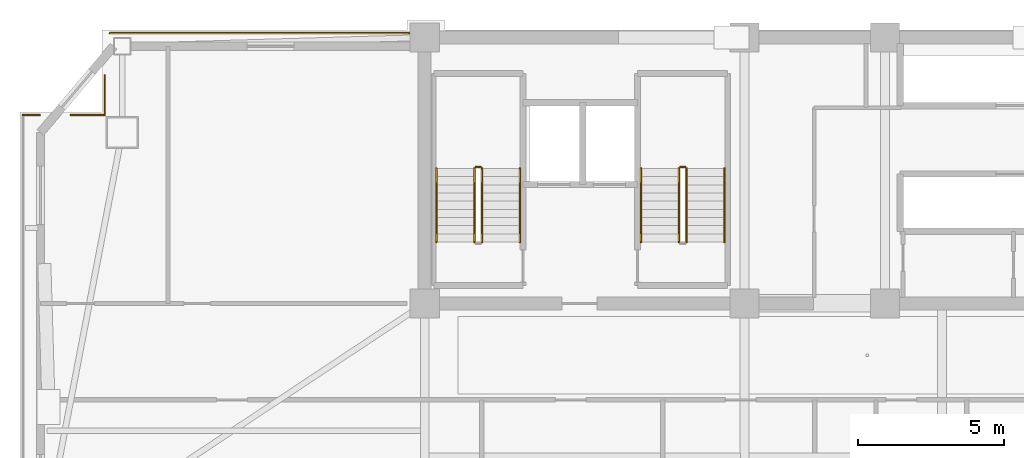
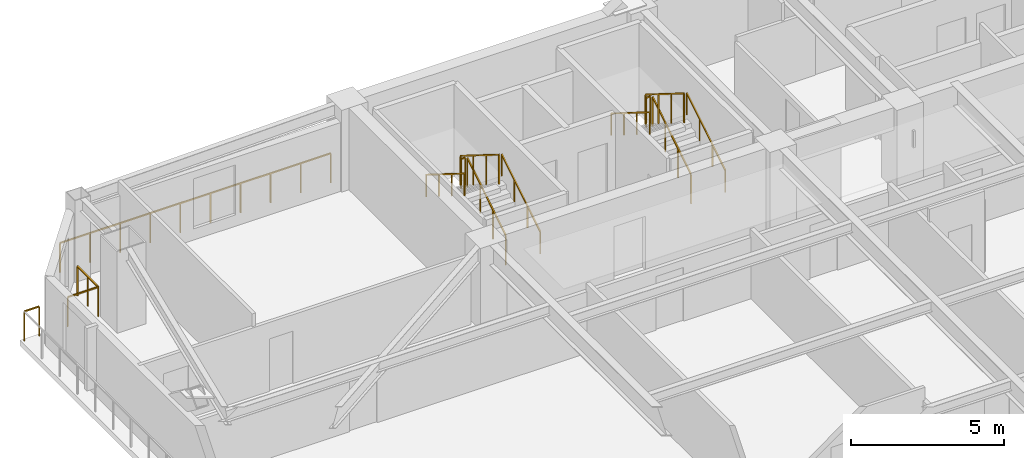
# One storey, part 16 of 17: 14 railings.
"""IFC4 building model written with IfcOpenShell, lengths in metres."""

import ifcopenshell
import ifcopenshell.guid

model = None  # the IFC model being written
_history = None  # IfcOwnerHistory: only IFC2X3 demands one
_inside = {}  # id of a spatial element -> (the spatial element, [elements in it])
_under = {}  # id of a project, library or spatial element -> (it, [spatial elements below it])
_declared = {}  # id of a project -> (the project, [libraries it declares])
_typed = {}  # id of a type object -> (the type object, [elements of that type])
_made_of = {}  # id of a material, layer set ... -> (it, [elements and type objects made of it])


def new_model(schema):
    """Start an empty IFC model of exactly this schema.

    Asked for "IFC4X3", IfcOpenShell would pick the latest addendum, in which some entities
    have other attributes; the version numbers below select the first issue.
    IFC2X3 requires an IfcOwnerHistory on every rooted entity: one is made here for all.
    """
    global model, _history
    if schema == "IFC4X3":
        model = ifcopenshell.file(schema_version=(4, 3, 0, 0))
    else:
        model = ifcopenshell.file(schema=schema)
    _inside.clear()
    _under.clear()
    _declared.clear()
    _typed.clear()
    _made_of.clear()
    _history = None
    if model.schema == "IFC2X3":
        org = make("IfcOrganization", Name="unknown")
        user = make(
            "IfcPersonAndOrganization",
            ThePerson=make("IfcPerson", FamilyName="unknown"),
            TheOrganization=org,
        )
        app = make(
            "IfcApplication",
            ApplicationDeveloper=org,
            Version="unknown",
            ApplicationFullName="unknown",
            ApplicationIdentifier="unknown",
        )
        _history = make(
            "IfcOwnerHistory",
            OwningUser=user,
            OwningApplication=app,
            ChangeAction="ADDED",
            CreationDate=0,
        )
    return model


def make(cls, **values):
    """One entity of the class cls with the attributes given. An attribute that is None is left unset."""
    return model.create_entity(
        cls, **{name: value for name, value in values.items() if value is not None}
    )


def rooted(cls, **values):
    """An entity with a GlobalId (a new one), such as an element, a storey or a relation."""
    return make(cls, GlobalId=ifcopenshell.guid.new(), OwnerHistory=_history, **values)


def si_unit(unit_type, name, prefix=None):
    """IfcSIUnit, for example si_unit("LENGTHUNIT", "METRE", prefix="MILLI")."""
    return make("IfcSIUnit", UnitType=unit_type, Prefix=prefix, Name=name)


def assignment(units):
    """IfcUnitAssignment: the units of a project."""
    return None if units is None else make("IfcUnitAssignment", Units=units)


def point(xyz):
    """IfcCartesianPoint."""
    return None if xyz is None else make("IfcCartesianPoint", Coordinates=xyz)


def direction(xyz):
    """IfcDirection."""
    return None if xyz is None else make("IfcDirection", DirectionRatios=xyz)


def frame(location, z_axis=None, x_axis=None):
    """IfcAxis2Placement3D, a coordinate frame: its origin and axes. An axis left out is left unset."""
    return make(
        "IfcAxis2Placement3D",
        Location=point(location),
        Axis=direction(z_axis),
        RefDirection=direction(x_axis),
    )


def frame_2d(location, x_axis=None):
    """IfcAxis2Placement2D, a coordinate frame in the plane: its origin and x axis."""
    return make(
        "IfcAxis2Placement2D", Location=point(location), RefDirection=direction(x_axis)
    )


def origin():
    """The frame at (0, 0, 0) with its axes left unset."""
    return frame((0.0, 0.0, 0.0))


def origin_2d():
    """The frame at (0, 0) in the plane with its x axis left unset."""
    return frame_2d((0.0, 0.0))


def place(relative_to, where):
    """IfcLocalPlacement: puts the frame where relative to a parent placement (None: the world)."""
    return make(
        "IfcLocalPlacement", PlacementRelTo=relative_to, RelativePlacement=where
    )


def context(
    kind, dimensions, precision=None, world=None, true_north=None, identifier=None
):
    """IfcGeometricRepresentationContext, for example the 3D "Model" context."""
    return make(
        "IfcGeometricRepresentationContext",
        ContextIdentifier=identifier,
        ContextType=kind,
        CoordinateSpaceDimension=dimensions,
        Precision=precision,
        WorldCoordinateSystem=world,
        TrueNorth=true_north,
    )


def subcontext(parent, identifier, kind, view, scale=None):
    """IfcGeometricRepresentationSubContext, for example "Body" below "Model"."""
    return make(
        "IfcGeometricRepresentationSubContext",
        ContextIdentifier=identifier,
        ContextType=kind,
        ParentContext=parent,
        TargetScale=scale,
        TargetView=view,
    )


def project(units=None, contexts=None):
    """IfcProject with its units and contexts."""
    return rooted(
        "IfcProject",
        Name="project",
        RepresentationContexts=contexts,
        UnitsInContext=assignment(units),
    )


def spatial(cls, under=None, at=None, **own):
    """A site, building, storey or space (cls), placed at a placement, below another one or the project."""
    s = rooted(cls, ObjectPlacement=at, **own)
    if under is not None:
        _under.setdefault(under.id(), (under, []))[1].append(s)
    return s


def profile(cls, at=None, kind="AREA", **sizes):
    """A parametric profile (cls). Its sizes go by their IFC names, for example OverallWidth=200.0."""
    return make(cls, ProfileType=kind, Position=at, **sizes)


def rectangle(**sizes):
    """IfcRectangleProfileDef."""
    return profile("IfcRectangleProfileDef", **sizes)


def extrude(swept, where, along, depth):
    """IfcExtrudedAreaSolid: the profile swept, set in the frame where, extruded along a direction by depth."""
    return make(
        "IfcExtrudedAreaSolid",
        SweptArea=swept,
        Position=where,
        ExtrudedDirection=direction(along),
        Depth=depth,
    )


def shape(context_of_items, identifier, shape_type, items):
    """IfcShapeRepresentation: the items that make up one representation, for example the "Body"."""
    return make(
        "IfcShapeRepresentation",
        ContextOfItems=context_of_items,
        RepresentationIdentifier=identifier,
        RepresentationType=shape_type,
        Items=items,
    )


def material(Name=None, Category=None):
    """IfcMaterial."""
    return make("IfcMaterial", Name=Name, Category=Category)


def made_of(thing, what):
    """Note that an element or type object is made of a material, layer set ...; save() writes the relation."""
    if what is not None:
        _made_of.setdefault(what.id(), (what, []))[1].append(thing)
    return thing


def type_object(cls, material=None, **own):
    """A type object (cls), such as IfcWallType, which elements share."""
    return made_of(rooted(cls, **own), material)


def element(
    cls,
    number,
    at=None,
    inside=None,
    cuts=None,
    type_object=None,
    material=None,
    context=None,
    identifier="Body",
    shape_type=None,
    held_by="IfcProductDefinitionShape",
    body=None,
    shapes=None,
    **own,
):
    """One element of the class cls, such as IfcWall. Its Tag is "e" and its number.

    at: its placement. inside: the storey or other place that contains it. cuts: it is an
    opening in that element (IfcRelVoidsElement). A single representation is given by context,
    identifier, shape_type and body (its items); several are given by shapes. held_by: the class
    of the entity that holds the representations. save() writes the other relations.
    """
    e = rooted(cls, Tag="e%d" % number, ObjectPlacement=at, **own)
    if body is not None:
        shapes = [shape(context, identifier, shape_type, body)]
    if shapes is not None:
        e.Representation = make(held_by, Representations=shapes)
    if inside is not None:
        _inside.setdefault(inside.id(), (inside, []))[1].append(e)
    if cuts is not None:
        rooted(
            "IfcRelVoidsElement", RelatingBuildingElement=cuts, RelatedOpeningElement=e
        )
    if type_object is not None:
        _typed.setdefault(type_object.id(), (type_object, []))[1].append(e)
    return made_of(e, material)


def aggregate(whole, parts):
    """IfcRelAggregates: a whole, such as a stair, and the parts it consists of."""
    return rooted("IfcRelAggregates", RelatingObject=whole, RelatedObjects=parts)


def save(model, path):
    """Write the relations noted so far, then the file.

    IfcRelAggregates (storeys below a building ...), IfcRelContainedInSpatialStructure (elements
    in a storey), IfcRelDefinesByType, IfcRelAssociatesMaterial and IfcRelDeclares: one each for
    every whole, place, type object, material and project.
    """
    for whole, parts in _under.values():
        aggregate(whole, parts)
    for where, things in _inside.values():
        rooted(
            "IfcRelContainedInSpatialStructure",
            RelatedElements=things,
            RelatingStructure=where,
        )
    for kind, things in _typed.values():
        rooted("IfcRelDefinesByType", RelatedObjects=things, RelatingType=kind)
    for what, things in _made_of.values():
        rooted("IfcRelAssociatesMaterial", RelatedObjects=things, RelatingMaterial=what)
    for by, libraries in _declared.values():
        rooted("IfcRelDeclares", RelatingContext=by, RelatedDefinitions=libraries)
    model.write(path)


model = new_model("IFC4")

# Units and contexts
model_context = context("Model", 3, precision=1e-05, world=origin(), true_north=direction((0.0, 1.0)))
body_context = subcontext(model_context, "Body", "Model", "MODEL_VIEW")
ifc_project = project(units=[si_unit("LENGTHUNIT", "METRE"), si_unit("AREAUNIT", "SQUARE_METRE"), si_unit("VOLUMEUNIT", "CUBIC_METRE"), si_unit("PLANEANGLEUNIT", "RADIAN"), si_unit("MASSUNIT", "GRAM", prefix="KILO")], contexts=[model_context])

# Site, building, storey
site_placement = place(None, origin())
site = spatial("IfcSite", under=ifc_project, at=site_placement, CompositionType="ELEMENT")
building_placement = place(site_placement, origin())
building = spatial("IfcBuilding", under=site, at=building_placement, Name="Giltprow Tower", CompositionType="ELEMENT")
storey_placement = place(building_placement, frame((0.0, 0.0, 206.199951171875)))
storey = spatial("IfcBuildingStorey", under=building, at=storey_placement, Name="L52", CompositionType="ELEMENT", Elevation=206.199951171875)

# Railings
ifc_material = material(Name="Anodized bronze", Category="metal")
railing_type_1 = type_object("IfcRailingType", Name="RAIL-BALC-GUARD-1200", PredefinedType="BALUSTRADE", material=ifc_material)
railing_1_placement = place(storey_placement, frame((6.10302734375, 43.89990234375, 0.0)))
element("IfcRailing", 1, at=railing_1_placement, inside=storey, type_object=railing_type_1, Name="L52 Corner Apron Edge Balustrade 14", PredefinedType="BALUSTRADE", context=body_context, shape_type="SweptSolid", body=[
    extrude(rectangle(XDim=0.048095703125, YDim=0.048095703125, at=origin_2d()), frame((0.0, 0.0, 1.17578125), z_axis=(1.0, 0.0, 0.0), x_axis=(0.0, 1.0, 0.0)), (0.0, 0.0, 1.0), 0.571044921875),
    extrude(rectangle(XDim=0.0419921875, YDim=0.0419921875, at=origin_2d()), origin(), (0.0, 0.0, 1.0), 1.15185546875),
    extrude(rectangle(XDim=0.0419921875, YDim=0.0419921875, at=origin_2d()), frame((0.571044921875, 0.0, 0.0)), (0.0, 0.0, 1.0), 1.15185546875),
])
railing_2_placement = place(storey_placement, frame((7.7490234375, 43.89990234375, 0.0)))
element("IfcRailing", 2, at=railing_2_placement, inside=storey, type_object=railing_type_1, Name="L52 Corner Apron Edge Balustrade 15", PredefinedType="BALUSTRADE", context=body_context, shape_type="SweptSolid", body=[
    extrude(rectangle(XDim=0.048095703125, YDim=0.048095703125, at=origin_2d()), frame((0.0, 0.0, 1.17578125), z_axis=(1.0, 0.0, 0.0), x_axis=(0.0, 1.0, 0.0)), (0.0, 0.0, 1.0), 1.154052734375),
    extrude(rectangle(XDim=0.0419921875, YDim=0.0419921875, at=origin_2d()), origin(), (0.0, 0.0, 1.0), 1.15185546875),
    extrude(rectangle(XDim=0.0419921875, YDim=0.0419921875, at=origin_2d()), frame((1.154052734375, 0.0, 0.0)), (0.0, 0.0, 1.0), 1.15185546875),
])
railing_3_placement = place(storey_placement, frame((8.903076171875, 43.89990234375, 0.0)))
element("IfcRailing", 3, at=railing_3_placement, inside=storey, type_object=railing_type_1, Name="L52 Corner Apron Edge Balustrade 16", PredefinedType="BALUSTRADE", context=body_context, shape_type="SweptSolid", body=[
    extrude(rectangle(XDim=0.048095703125, YDim=0.048095703125, at=origin_2d()), frame((0.0, 0.0, 1.17578125), z_axis=(0.0, 1.0, 0.0), x_axis=(-1.0, 0.0, 0.0)), (0.0, 0.0, 1.0), 1.362060546875),
    extrude(rectangle(XDim=0.0419921875, YDim=0.0419921875, at=origin_2d()), origin(), (0.0, 0.0, 1.0), 1.15185546875),
    extrude(rectangle(XDim=0.0419921875, YDim=0.0419921875, at=origin_2d()), frame((0.0, 0.68115234375, 0.0)), (0.0, 0.0, 1.0), 1.15185546875),
    extrude(rectangle(XDim=0.0419921875, YDim=0.0419921875, at=origin_2d()), frame((0.0, 1.362060546875, 0.0)), (0.0, 0.0, 1.0), 1.15185546875),
])
railing_4_placement = place(storey_placement, frame((9.073974609375, 46.699951171875, 0.0)))
element("IfcRailing", 4, at=railing_4_placement, inside=storey, type_object=railing_type_1, Name="L52 Corner Apron Edge Balustrade 17", PredefinedType="BALUSTRADE", context=body_context, shape_type="SweptSolid", body=[
    extrude(rectangle(XDim=0.048095703125, YDim=0.048095703125, at=origin_2d()), frame((0.0, 0.0, 1.17578125), z_axis=(1.0, 0.0, 0.0), x_axis=(0.0, 1.0, 0.0)), (0.0, 0.0, 1.0), 10.240966796875),
    extrude(rectangle(XDim=0.0419921875, YDim=0.0419921875, at=origin_2d()), origin(), (0.0, 0.0, 1.0), 1.15185546875),
    extrude(rectangle(XDim=0.0419921875, YDim=0.0419921875, at=origin_2d()), frame((1.137939453125, 0.0, 0.0)), (0.0, 0.0, 1.0), 1.15185546875),
    extrude(rectangle(XDim=0.0419921875, YDim=0.0419921875, at=origin_2d()), frame((2.27587890625, 0.0, 0.0)), (0.0, 0.0, 1.0), 1.15185546875),
    extrude(rectangle(XDim=0.0419921875, YDim=0.0419921875, at=origin_2d()), frame((3.41357421875, 0.0, 0.0)), (0.0, 0.0, 1.0), 1.15185546875),
    extrude(rectangle(XDim=0.0419921875, YDim=0.0419921875, at=origin_2d()), frame((4.551513671875, 0.0, 0.0)), (0.0, 0.0, 1.0), 1.15185546875),
    extrude(rectangle(XDim=0.0419921875, YDim=0.0419921875, at=origin_2d()), frame((5.689453125, 0.0, 0.0)), (0.0, 0.0, 1.0), 1.15185546875),
    extrude(rectangle(XDim=0.0419921875, YDim=0.0419921875, at=origin_2d()), frame((6.827392578125, 0.0, 0.0)), (0.0, 0.0, 1.0), 1.15185546875),
    extrude(rectangle(XDim=0.0419921875, YDim=0.0419921875, at=origin_2d()), frame((7.965087890625, 0.0, 0.0)), (0.0, 0.0, 1.0), 1.15185546875),
    extrude(rectangle(XDim=0.0419921875, YDim=0.0419921875, at=origin_2d()), frame((9.10302734375, 0.0, 0.0)), (0.0, 0.0, 1.0), 1.15185546875),
    extrude(rectangle(XDim=0.0419921875, YDim=0.0419921875, at=origin_2d()), frame((10.240966796875, 0.0, 0.0)), (0.0, 0.0, 1.0), 1.15185546875),
])
railing_type_2 = type_object("IfcRailingType", Name="RAIL-STAIR-GUARD-1200", PredefinedType="GUARDRAIL", material=ifc_material)
railing_5_placement = place(storey_placement, frame((21.81005859375, 39.550048828125, 0.175048828125)))
element("IfcRailing", 5, at=railing_5_placement, inside=storey, type_object=railing_type_2, Name="L52 ST-1 stair guard 1", PredefinedType="GUARDRAIL", context=body_context, shape_type="SweptSolid", body=[
    extrude(rectangle(XDim=0.048095703125, YDim=0.048095703125, at=origin_2d()), frame((0.0, 0.0, 1.17578125), z_axis=(0.0, 0.848007534815, 0.529984170421), x_axis=(-1.0, 0.0, 0.0)), (0.0, 0.0, 1.0), 2.9716796875),
    extrude(rectangle(XDim=0.0419921875, YDim=0.0419921875, at=origin_2d()), origin(), (0.0, 0.0, 1.0), 1.15185546875),
    extrude(rectangle(XDim=0.0419921875, YDim=0.0419921875, at=origin_2d()), frame((0.0, 0.840087890625, 0.52490234375)), (0.0, 0.0, 1.0), 1.15185546875),
    extrude(rectangle(XDim=0.0419921875, YDim=0.0419921875, at=origin_2d()), frame((0.0, 1.679931640625, 1.050048828125)), (0.0, 0.0, 1.0), 1.15185546875),
    extrude(rectangle(XDim=0.0419921875, YDim=0.0419921875, at=origin_2d()), frame((0.0, 2.52001953125, 1.574951171875)), (0.0, 0.0, 1.0), 1.15185546875),
])
railing_6_placement = place(storey_placement, frame((21.760009765625, 42.1201171875, 1.75)))
element("IfcRailing", 6, at=railing_6_placement, inside=storey, type_object=railing_type_2, Name="L52 ST-1 stair guard 2", PredefinedType="GUARDRAIL", context=body_context, shape_type="SweptSolid", body=[
    extrude(rectangle(XDim=0.048095703125, YDim=0.048095703125, at=origin_2d()), frame((0.0, 0.0, 1.17578125), z_axis=(-1.0, 0.0, 0.0), x_axis=(0.0, -1.0, 0.0)), (0.0, 0.0, 1.0), 0.159912109375),
    extrude(rectangle(XDim=0.0419921875, YDim=0.0419921875, at=origin_2d()), origin(), (0.0, 0.0, 1.0), 1.15185546875),
    extrude(rectangle(XDim=0.0419921875, YDim=0.0419921875, at=origin_2d()), frame((-0.159912109375, 0.0, 0.0)), (0.0, 0.0, 1.0), 1.15185546875),
])
railing_7_placement = place(storey_placement, frame((21.550048828125, 42.070068359375, 1.925048828125)))
element("IfcRailing", 7, at=railing_7_placement, inside=storey, type_object=railing_type_2, Name="L52 ST-1 stair guard 3", PredefinedType="GUARDRAIL", context=body_context, shape_type="SweptSolid", body=[
    extrude(rectangle(XDim=0.048095703125, YDim=0.048095703125, at=origin_2d()), frame((0.0, 0.0, 1.17578125), z_axis=(0.0, -0.848007534815, 0.529984170421), x_axis=(1.0, 0.0, 0.0)), (0.0, 0.0, 1.0), 2.9716796875),
    extrude(rectangle(XDim=0.0419921875, YDim=0.0419921875, at=origin_2d()), origin(), (0.0, 0.0, 1.0), 1.15185546875),
    extrude(rectangle(XDim=0.0419921875, YDim=0.0419921875, at=origin_2d()), frame((0.0, -0.840087890625, 0.52490234375)), (0.0, 0.0, 1.0), 1.15185546875),
    extrude(rectangle(XDim=0.0419921875, YDim=0.0419921875, at=origin_2d()), frame((0.0, -1.679931640625, 1.050048828125)), (0.0, 0.0, 1.0), 1.15185546875),
    extrude(rectangle(XDim=0.0419921875, YDim=0.0419921875, at=origin_2d()), frame((0.0, -2.52001953125, 1.574951171875)), (0.0, 0.0, 1.0), 1.15185546875),
])
railing_8_placement = place(storey_placement, frame((28.81005859375, 39.550048828125, 0.175048828125)))
element("IfcRailing", 8, at=railing_8_placement, inside=storey, type_object=railing_type_2, Name="L52 ST-2 stair guard 1", PredefinedType="GUARDRAIL", context=body_context, shape_type="SweptSolid", body=[
    extrude(rectangle(XDim=0.048095703125, YDim=0.048095703125, at=origin_2d()), frame((0.0, 0.0, 1.17578125), z_axis=(0.0, 0.848007534815, 0.529984170421), x_axis=(-1.0, 0.0, 0.0)), (0.0, 0.0, 1.0), 2.9716796875),
    extrude(rectangle(XDim=0.0419921875, YDim=0.0419921875, at=origin_2d()), origin(), (0.0, 0.0, 1.0), 1.15185546875),
    extrude(rectangle(XDim=0.0419921875, YDim=0.0419921875, at=origin_2d()), frame((0.0, 0.840087890625, 0.52490234375)), (0.0, 0.0, 1.0), 1.15185546875),
    extrude(rectangle(XDim=0.0419921875, YDim=0.0419921875, at=origin_2d()), frame((0.0, 1.679931640625, 1.050048828125)), (0.0, 0.0, 1.0), 1.15185546875),
    extrude(rectangle(XDim=0.0419921875, YDim=0.0419921875, at=origin_2d()), frame((0.0, 2.52001953125, 1.574951171875)), (0.0, 0.0, 1.0), 1.15185546875),
])
railing_9_placement = place(storey_placement, frame((28.760009765625, 42.1201171875, 1.75)))
element("IfcRailing", 9, at=railing_9_placement, inside=storey, type_object=railing_type_2, Name="L52 ST-2 stair guard 2", PredefinedType="GUARDRAIL", context=body_context, shape_type="SweptSolid", body=[
    extrude(rectangle(XDim=0.048095703125, YDim=0.048095703125, at=origin_2d()), frame((0.0, 0.0, 1.17578125), z_axis=(-1.0, 0.0, 0.0), x_axis=(0.0, -1.0, 0.0)), (0.0, 0.0, 1.0), 0.159912109375),
    extrude(rectangle(XDim=0.0419921875, YDim=0.0419921875, at=origin_2d()), origin(), (0.0, 0.0, 1.0), 1.15185546875),
    extrude(rectangle(XDim=0.0419921875, YDim=0.0419921875, at=origin_2d()), frame((-0.159912109375, 0.0, 0.0)), (0.0, 0.0, 1.0), 1.15185546875),
])
railing_10_placement = place(storey_placement, frame((28.550048828125, 42.070068359375, 1.925048828125)))
element("IfcRailing", 10, at=railing_10_placement, inside=storey, type_object=railing_type_2, Name="L52 ST-2 stair guard 3", PredefinedType="GUARDRAIL", context=body_context, shape_type="SweptSolid", body=[
    extrude(rectangle(XDim=0.048095703125, YDim=0.048095703125, at=origin_2d()), frame((0.0, 0.0, 1.17578125), z_axis=(0.0, -0.848007534815, 0.529984170421), x_axis=(1.0, 0.0, 0.0)), (0.0, 0.0, 1.0), 2.9716796875),
    extrude(rectangle(XDim=0.0419921875, YDim=0.0419921875, at=origin_2d()), origin(), (0.0, 0.0, 1.0), 1.15185546875),
    extrude(rectangle(XDim=0.0419921875, YDim=0.0419921875, at=origin_2d()), frame((0.0, -0.840087890625, 0.52490234375)), (0.0, 0.0, 1.0), 1.15185546875),
    extrude(rectangle(XDim=0.0419921875, YDim=0.0419921875, at=origin_2d()), frame((0.0, -1.679931640625, 1.050048828125)), (0.0, 0.0, 1.0), 1.15185546875),
    extrude(rectangle(XDim=0.0419921875, YDim=0.0419921875, at=origin_2d()), frame((0.0, -2.52001953125, 1.574951171875)), (0.0, 0.0, 1.0), 1.15185546875),
])
railing_type_3 = type_object("IfcRailingType", Name="RAIL-STAIR-HAND-900", PredefinedType="HANDRAIL", material=ifc_material)
railing_11_placement = place(storey_placement, frame((23.110107421875, 39.550048828125, 0.175048828125)))
element("IfcRailing", 11, at=railing_11_placement, inside=storey, type_object=railing_type_3, Name="L52 ST-1 stair handrail 1", PredefinedType="HANDRAIL", context=body_context, shape_type="SweptSolid", body=[
    extrude(rectangle(XDim=0.048095703125, YDim=0.048095703125, at=origin_2d()), frame((0.0, 0.0, 0.8759765625), z_axis=(0.0, 0.848007534815, 0.529984170421), x_axis=(-1.0, 0.0, 0.0)), (0.0, 0.0, 1.0), 2.9716796875),
    extrude(rectangle(XDim=0.0419921875, YDim=0.0419921875, at=origin_2d()), origin(), (0.0, 0.0, 1.0), 0.851806640625),
    extrude(rectangle(XDim=0.0419921875, YDim=0.0419921875, at=origin_2d()), frame((0.0, 0.840087890625, 0.52490234375)), (0.0, 0.0, 1.0), 0.851806640625),
    extrude(rectangle(XDim=0.0419921875, YDim=0.0419921875, at=origin_2d()), frame((0.0, 1.679931640625, 1.050048828125)), (0.0, 0.0, 1.0), 0.851806640625),
    extrude(rectangle(XDim=0.0419921875, YDim=0.0419921875, at=origin_2d()), frame((0.0, 2.52001953125, 1.574951171875)), (0.0, 0.0, 1.0), 0.851806640625),
])
railing_12_placement = place(storey_placement, frame((20.25, 42.070068359375, 1.925048828125)))
element("IfcRailing", 12, at=railing_12_placement, inside=storey, type_object=railing_type_3, Name="L52 ST-1 stair handrail 2", PredefinedType="HANDRAIL", context=body_context, shape_type="SweptSolid", body=[
    extrude(rectangle(XDim=0.048095703125, YDim=0.048095703125, at=origin_2d()), frame((0.0, 0.0, 0.8759765625), z_axis=(0.0, -0.848007534815, 0.529984170421), x_axis=(1.0, 0.0, 0.0)), (0.0, 0.0, 1.0), 2.9716796875),
    extrude(rectangle(XDim=0.0419921875, YDim=0.0419921875, at=origin_2d()), origin(), (0.0, 0.0, 1.0), 0.851806640625),
    extrude(rectangle(XDim=0.0419921875, YDim=0.0419921875, at=origin_2d()), frame((0.0, -0.840087890625, 0.52490234375)), (0.0, 0.0, 1.0), 0.851806640625),
    extrude(rectangle(XDim=0.0419921875, YDim=0.0419921875, at=origin_2d()), frame((0.0, -1.679931640625, 1.050048828125)), (0.0, 0.0, 1.0), 0.851806640625),
    extrude(rectangle(XDim=0.0419921875, YDim=0.0419921875, at=origin_2d()), frame((0.0, -2.52001953125, 1.574951171875)), (0.0, 0.0, 1.0), 0.851806640625),
])
railing_13_placement = place(storey_placement, frame((30.110107421875, 39.550048828125, 0.175048828125)))
element("IfcRailing", 13, at=railing_13_placement, inside=storey, type_object=railing_type_3, Name="L52 ST-2 stair handrail 1", PredefinedType="HANDRAIL", context=body_context, shape_type="SweptSolid", body=[
    extrude(rectangle(XDim=0.048095703125, YDim=0.048095703125, at=origin_2d()), frame((0.0, 0.0, 0.8759765625), z_axis=(0.0, 0.848007534815, 0.529984170421), x_axis=(-1.0, 0.0, 0.0)), (0.0, 0.0, 1.0), 2.9716796875),
    extrude(rectangle(XDim=0.0419921875, YDim=0.0419921875, at=origin_2d()), origin(), (0.0, 0.0, 1.0), 0.851806640625),
    extrude(rectangle(XDim=0.0419921875, YDim=0.0419921875, at=origin_2d()), frame((0.0, 0.840087890625, 0.52490234375)), (0.0, 0.0, 1.0), 0.851806640625),
    extrude(rectangle(XDim=0.0419921875, YDim=0.0419921875, at=origin_2d()), frame((0.0, 1.679931640625, 1.050048828125)), (0.0, 0.0, 1.0), 0.851806640625),
    extrude(rectangle(XDim=0.0419921875, YDim=0.0419921875, at=origin_2d()), frame((0.0, 2.52001953125, 1.574951171875)), (0.0, 0.0, 1.0), 0.851806640625),
])
railing_14_placement = place(storey_placement, frame((27.25, 42.070068359375, 1.925048828125)))
element("IfcRailing", 14, at=railing_14_placement, inside=storey, type_object=railing_type_3, Name="L52 ST-2 stair handrail 2", PredefinedType="HANDRAIL", context=body_context, shape_type="SweptSolid", body=[
    extrude(rectangle(XDim=0.048095703125, YDim=0.048095703125, at=origin_2d()), frame((0.0, 0.0, 0.8759765625), z_axis=(0.0, -0.848007534815, 0.529984170421), x_axis=(1.0, 0.0, 0.0)), (0.0, 0.0, 1.0), 2.9716796875),
    extrude(rectangle(XDim=0.0419921875, YDim=0.0419921875, at=origin_2d()), origin(), (0.0, 0.0, 1.0), 0.851806640625),
    extrude(rectangle(XDim=0.0419921875, YDim=0.0419921875, at=origin_2d()), frame((0.0, -0.840087890625, 0.52490234375)), (0.0, 0.0, 1.0), 0.851806640625),
    extrude(rectangle(XDim=0.0419921875, YDim=0.0419921875, at=origin_2d()), frame((0.0, -1.679931640625, 1.050048828125)), (0.0, 0.0, 1.0), 0.851806640625),
    extrude(rectangle(XDim=0.0419921875, YDim=0.0419921875, at=origin_2d()), frame((0.0, -2.52001953125, 1.574951171875)), (0.0, 0.0, 1.0), 0.851806640625),
])

save(model, "model.ifc")
